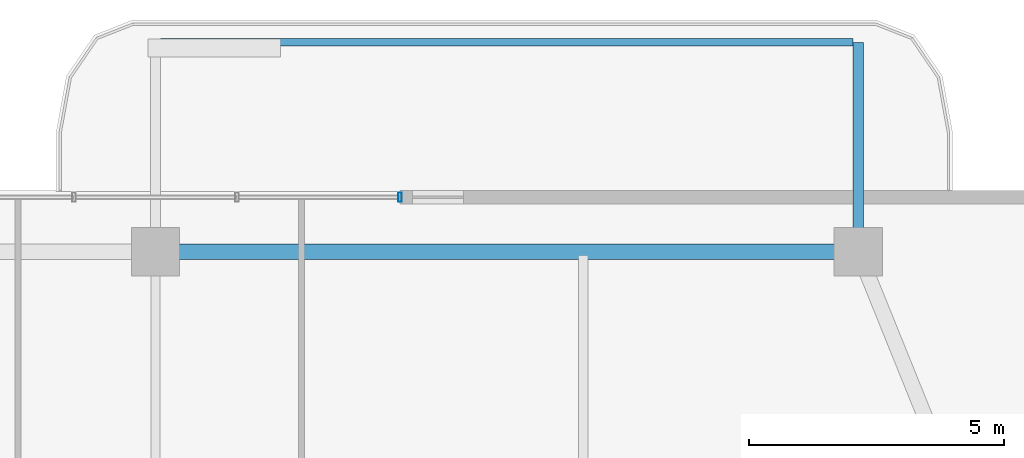
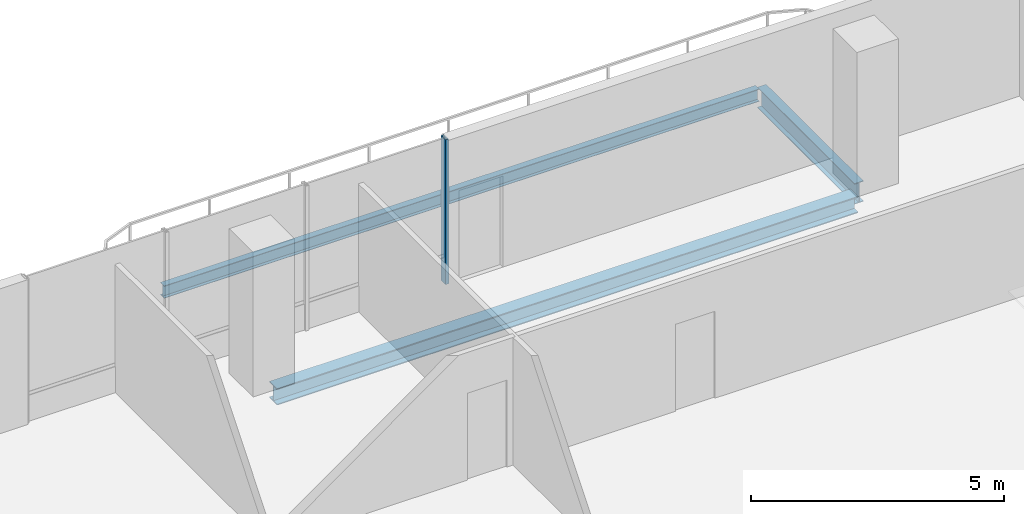
# One storey, part 16 of 25: 3 beams, 1 member, 1 element without a shape of its own.
"""IFC4 building model written with IfcOpenShell, lengths in metres."""

from ifc_helpers import new_model, si_unit, direction, frame, origin, origin_2d, place, context, subcontext, project, spatial, hollow_rectangle, i_section, extrude, material, layer, layer_set, material_profile, profile_set, type_object, element, aggregate, save


model = new_model("IFC4")

# Units and contexts
model_context = context("Model", 3, precision=1e-05, world=origin(), true_north=direction((0.0, 1.0)))
body_context = subcontext(model_context, "Body", "Model", "MODEL_VIEW")
ifc_project = project(units=[si_unit("LENGTHUNIT", "METRE"), si_unit("AREAUNIT", "SQUARE_METRE"), si_unit("VOLUMEUNIT", "CUBIC_METRE"), si_unit("PLANEANGLEUNIT", "RADIAN"), si_unit("MASSUNIT", "GRAM", prefix="KILO")], contexts=[model_context])

# Site, building, storey
site_placement = place(None, origin())
site = spatial("IfcSite", under=ifc_project, at=site_placement, CompositionType="ELEMENT")
building_placement = place(site_placement, origin())
building = spatial("IfcBuilding", under=site, at=building_placement, Name="Belovzor Exchange Tower", CompositionType="ELEMENT")
storey_placement = place(building_placement, frame((0.0, 0.0, 254.10009765625)))
storey = spatial("IfcBuildingStorey", under=building, at=storey_placement, Name="L63", CompositionType="ELEMENT", Elevation=254.10009765625)

# Beams
ifc_material_1 = material(Name="Steel S355", Category="steel")
ifc_material_profile_1 = material_profile(ifc_material_1, i_section(OverallWidth=0.199951171875, OverallDepth=0.5, WebThickness=0.01025390625, FlangeThickness=0.01611328125, at=origin_2d()))
ifc_profile_set_1 = profile_set([ifc_material_profile_1], Name="Steel S355")
beam_type_1 = type_object("IfcBeamType", Name="Planted Balcony Cantilever Beam IPE 500", PredefinedType="BEAM", material=ifc_profile_set_1)
beam_1_placement = place(storey_placement, frame((42.60009765625, 52.760986328125, -0.5), z_axis=(0.0, 1.0, 0.0), x_axis=(-1.0, 0.0, 0.0)))
element("IfcBeam", 1, at=beam_1_placement, inside=storey, type_object=beam_type_1, Name="BC-500 Planted Balcony Cantilever Beam IPE 500", PredefinedType="BEAM", context=body_context, shape_type="SweptSolid", body=[
    extrude(i_section(OverallWidth=0.199951171875, OverallDepth=0.5, WebThickness=0.01025390625, FlangeThickness=0.01611328125, at=origin_2d()), origin(), (0.0, 0.0, 1.0), 3.85009765625),
])
ifc_material_2 = material(Name="Steel S355", Category="steel")
ifc_material_profile_2 = material_profile(ifc_material_2, i_section(OverallWidth=0.14990234375, OverallDepth=0.300048828125, WebThickness=0.007080078125, FlangeThickness=0.0107421875, at=origin_2d()))
ifc_profile_set_2 = profile_set([ifc_material_profile_2], Name="Steel S355")
beam_type_2 = type_object("IfcBeamType", Name="Planted Balcony Fascia Edge Beam IPE 300", PredefinedType="BEAM", material=ifc_profile_set_2)
beam_2_placement = place(storey_placement, frame((42.5, 56.611083984375, -0.400146484375), z_axis=(-1.0, 0.0, 0.0), x_axis=(0.0, -1.0, 0.0)))
element("IfcBeam", 2, at=beam_2_placement, inside=storey, type_object=beam_type_2, Name="BC-300 Planted Balcony Fascia Edge Beam IPE 300", PredefinedType="BEAM", context=body_context, shape_type="SweptSolid", body=[
    extrude(i_section(OverallWidth=0.14990234375, OverallDepth=0.300048828125, WebThickness=0.007080078125, FlangeThickness=0.0107421875, at=origin_2d()), origin(), (0.0, 0.0, 1.0), 13.60009765625),
])

# Curtain wall, member
ifc_material_3 = material(Name="Anodised Aluminium Framing", Category="aluminium")
ifc_layer = layer(ifc_material_3, 0.179931640625)
ifc_layer_set = layer_set([ifc_layer], Name="Anodised Aluminium Framing")
curtain_wall_type = type_object("IfcCurtainWallType", Name="Recessed Loggia Low-Iron Triple-Glazed Curtain Wall", PredefinedType="NOTDEFINED", material=ifc_layer_set)
curtain_wall_placement = place(storey_placement, origin())
curtain_wall = element("IfcCurtainWall", 3, at=curtain_wall_placement, inside=storey, type_object=curtain_wall_type, Name="CW3 Recessed Loggia Low-Iron Triple-Glazed Curtain Wall L63", PredefinedType="NOTDEFINED")
ifc_material_4 = material(Name="Steel S355", Category="steel")
ifc_material_profile_3 = material_profile(ifc_material_4, hollow_rectangle(XDim=0.074951171875, YDim=0.179931640625, WallThickness=0.0048828125, at=origin_2d()))
ifc_profile_set_3 = profile_set([ifc_material_profile_3], Name="Steel S355")
member_type = type_object("IfcMemberType", Name="Thermally Broken Curtain Wall Mullion 180x75", PredefinedType="MULLION", material=ifc_profile_set_3)
member_placement = place(storey_placement, frame((33.60009765625, 53.570068359375, 0.0), z_axis=(0.0, 0.0, 1.0), x_axis=(1.0, 0.0, 0.0)))
member = element("IfcMember", 4, at=member_placement, type_object=member_type, Name="CW-M180 Curtain Wall Mullion 4", PredefinedType="MULLION", context=body_context, shape_type="SweptSolid", body=[
    extrude(hollow_rectangle(XDim=0.074951171875, YDim=0.179931640625, WallThickness=0.0048828125, at=origin_2d()), origin(), (0.0, 0.0, 1.0), 3.5),
])
aggregate(curtain_wall, [member])

# Beam
ifc_material_5 = material(Name="Steel S355", Category="steel")
ifc_material_profile_4 = material_profile(ifc_material_5, i_section(OverallWidth=0.300048828125, OverallDepth=0.39990234375, WebThickness=0.013427734375, FlangeThickness=0.02392578125, at=origin_2d()))
ifc_profile_set_4 = profile_set([ifc_material_profile_4], Name="Steel S355")
beam_type_3 = type_object("IfcBeamType", Name="Zone 5 Primary Girder HEB 400", PredefinedType="BEAM", material=ifc_profile_set_4)
beam_3_placement = place(storey_placement, frame((42.339111328125, 52.5, -0.4501953125), z_axis=(-1.0, 0.0, 0.0), x_axis=(0.0, -1.0, 0.0)))
element("IfcBeam", 5, at=beam_3_placement, inside=storey, type_object=beam_type_3, Name="FG-Z5 Zone 5 Primary Girder HEB 400", PredefinedType="BEAM", context=body_context, shape_type="SweptSolid", body=[
    extrude(i_section(OverallWidth=0.300048828125, OverallDepth=0.39990234375, WebThickness=0.013427734375, FlangeThickness=0.02392578125, at=origin_2d()), origin(), (0.0, 0.0, 1.0), 13.278076171875),
])

save(model, "model.ifc")
